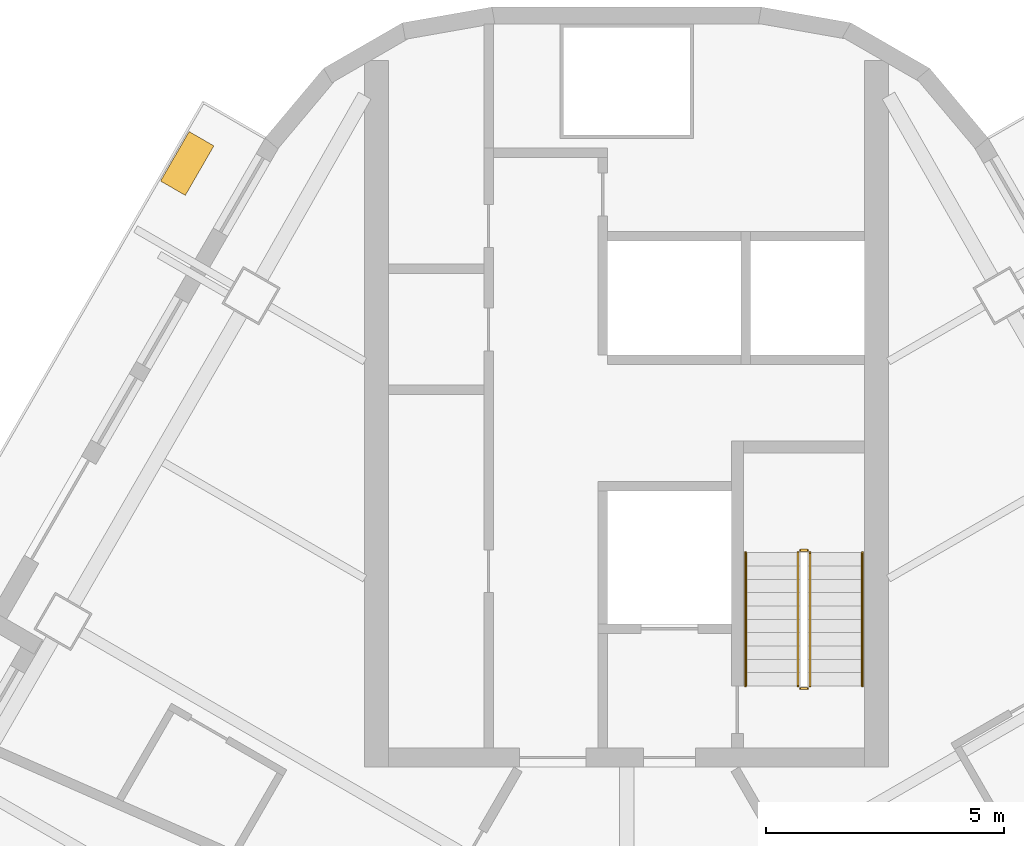
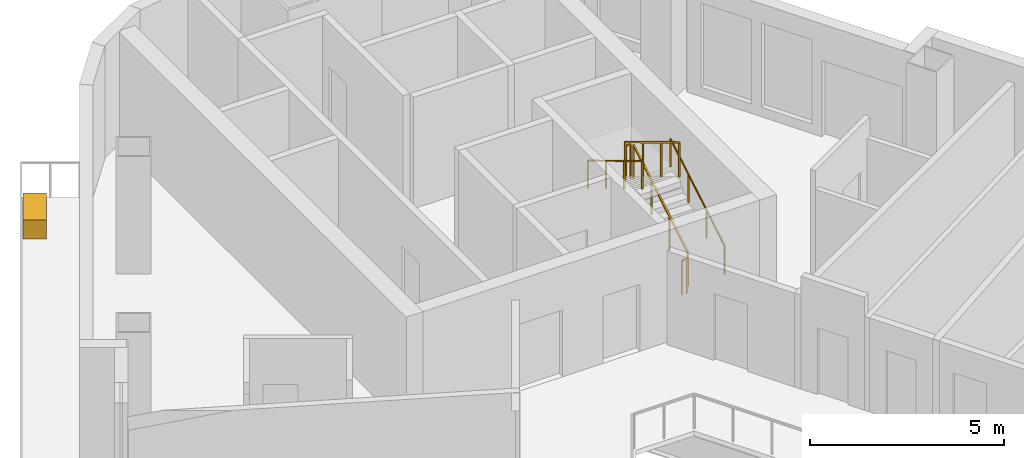
# One storey, part 14 of 14: 6 railings, 1 covering.
"""IFC4 building model written with IfcOpenShell, lengths in metres."""

from ifc_helpers import new_model, si_unit, direction, frame, origin, origin_2d, place, context, subcontext, project, spatial, rectangle, circle, extrude, material, type_object, element, save


model = new_model("IFC4")

# Units and contexts
model_context = context("Model", 3, precision=1e-05, world=origin(), true_north=direction((0.0, 1.0)))
body_context = subcontext(model_context, "Body", "Model", "MODEL_VIEW")
ifc_project = project(units=[si_unit("LENGTHUNIT", "METRE"), si_unit("AREAUNIT", "SQUARE_METRE"), si_unit("VOLUMEUNIT", "CUBIC_METRE"), si_unit("PLANEANGLEUNIT", "RADIAN"), si_unit("MASSUNIT", "GRAM", prefix="KILO")], contexts=[model_context])

# Site, building, storey
site_placement = place(None, origin())
site = spatial("IfcSite", under=ifc_project, at=site_placement, CompositionType="ELEMENT")
building_placement = place(site_placement, origin())
building = spatial("IfcBuilding", under=site, at=building_placement, Name="Apuvela Tower Hotel", CompositionType="ELEMENT")
storey_placement = place(building_placement, frame((0.0, 0.0, 116.800048828125)))
storey = spatial("IfcBuildingStorey", under=building, at=storey_placement, Name="L27", CompositionType="ELEMENT", Elevation=116.800048828125)

# Railings
ifc_material_1 = material(Name="Steel S275 balustrade", Category="steel")
railing_type_1 = type_object("IfcRailingType", Name="COR-GUARD-1100", PredefinedType="GUARDRAIL", material=ifc_material_1)
railing_1_placement = place(storey_placement, frame((3.85009765625, 14.60009765625, 0.168212890625)))
element("IfcRailing", 1, at=railing_1_placement, inside=storey, type_object=railing_type_1, Name="L27 ST1 stair guard 1", PredefinedType="GUARDRAIL", context=body_context, shape_type="SweptSolid", body=[
    extrude(rectangle(XDim=0.048095703125, YDim=0.048095703125, at=origin_2d()), frame((0.0, 0.0, 1.076171875), z_axis=(0.0, 0.857255387014, 0.514891446264), x_axis=(-1.0, 0.0, 0.0)), (0.0, 0.0, 1.0), 3.26611328125),
    extrude(rectangle(XDim=0.0419921875, YDim=0.0419921875, at=origin_2d()), origin(), (0.0, 0.0, 1.0), 1.052001953125),
    extrude(rectangle(XDim=0.0419921875, YDim=0.0419921875, at=origin_2d()), frame((0.0, 0.933349609375, 0.560546875)), (0.0, 0.0, 1.0), 1.052001953125),
    extrude(rectangle(XDim=0.0419921875, YDim=0.0419921875, at=origin_2d()), frame((0.0, 1.866455078125, 1.12109375)), (0.0, 0.0, 1.0), 1.052001953125),
    extrude(rectangle(XDim=0.0419921875, YDim=0.0419921875, at=origin_2d()), frame((0.0, 2.7998046875, 1.681640625)), (0.0, 0.0, 1.0), 1.052001953125),
])
railing_2_placement = place(storey_placement, frame((3.800048828125, 17.449951171875, 1.849853515625)))
element("IfcRailing", 2, at=railing_2_placement, inside=storey, type_object=railing_type_1, Name="L27 ST1 stair guard 2", PredefinedType="GUARDRAIL", context=body_context, shape_type="SweptSolid", body=[
    extrude(rectangle(XDim=0.048095703125, YDim=0.048095703125, at=origin_2d()), frame((0.0, 0.0, 1.076171875), z_axis=(-1.0, 0.0, 0.0), x_axis=(0.0, -1.0, 0.0)), (0.0, 0.0, 1.0), 0.150146484375),
    extrude(rectangle(XDim=0.0419921875, YDim=0.0419921875, at=origin_2d()), origin(), (0.0, 0.0, 1.0), 1.052001953125),
    extrude(rectangle(XDim=0.0419921875, YDim=0.0419921875, at=origin_2d()), frame((-0.150146484375, 0.0, 0.0)), (0.0, 0.0, 1.0), 1.052001953125),
])
railing_3_placement = place(storey_placement, frame((3.60009765625, 17.39990234375, 2.01806640625)))
element("IfcRailing", 3, at=railing_3_placement, inside=storey, type_object=railing_type_1, Name="L27 ST1 stair guard 3", PredefinedType="GUARDRAIL", context=body_context, shape_type="SweptSolid", body=[
    extrude(rectangle(XDim=0.048095703125, YDim=0.048095703125, at=origin_2d()), frame((0.0, 0.0, 1.076171875), z_axis=(0.0, -0.857222391501, 0.514946377315), x_axis=(1.0, 0.0, 0.0)), (0.0, 0.0, 1.0), 3.26611328125),
    extrude(rectangle(XDim=0.0419921875, YDim=0.0419921875, at=origin_2d()), origin(), (0.0, 0.0, 1.0), 1.052001953125),
    extrude(rectangle(XDim=0.0419921875, YDim=0.0419921875, at=origin_2d()), frame((0.0, -0.933349609375, 0.560546875)), (0.0, 0.0, 1.0), 1.052001953125),
    extrude(rectangle(XDim=0.0419921875, YDim=0.0419921875, at=origin_2d()), frame((0.0, -1.866455078125, 1.121337890625)), (0.0, 0.0, 1.0), 1.052001953125),
    extrude(rectangle(XDim=0.0419921875, YDim=0.0419921875, at=origin_2d()), frame((0.0, -2.7998046875, 1.681884765625)), (0.0, 0.0, 1.0), 1.052001953125),
])
railing_4_placement = place(storey_placement, frame((3.800048828125, 14.550048828125, 0.0)))
element("IfcRailing", 4, at=railing_4_placement, inside=storey, type_object=railing_type_1, Name="L27 ST1 stair guard 4", PredefinedType="GUARDRAIL", context=body_context, shape_type="SweptSolid", body=[
    extrude(rectangle(XDim=0.048095703125, YDim=0.048095703125, at=origin_2d()), frame((0.0, 0.0, 1.076171875), z_axis=(-1.0, 0.0, 0.0), x_axis=(0.0, -1.0, 0.0)), (0.0, 0.0, 1.0), 0.150146484375),
    extrude(rectangle(XDim=0.0419921875, YDim=0.0419921875, at=origin_2d()), origin(), (0.0, 0.0, 1.0), 1.052001953125),
    extrude(rectangle(XDim=0.0419921875, YDim=0.0419921875, at=origin_2d()), frame((-0.150146484375, 0.0, 0.0)), (0.0, 0.0, 1.0), 1.052001953125),
])
ifc_material_2 = material(Name="Stainless steel 316 handrail", Category="steel")
railing_type_2 = type_object("IfcRailingType", Name="COR-HANDRAIL-900", PredefinedType="HANDRAIL", material=ifc_material_2)
railing_5_placement = place(storey_placement, frame((4.949951171875, 14.60009765625, 0.168212890625)))
element("IfcRailing", 5, at=railing_5_placement, inside=storey, type_object=railing_type_2, Name="L27 ST1 stair handrail 1", PredefinedType="HANDRAIL", context=body_context, shape_type="SweptSolid", body=[
    extrude(circle(Radius=0.02392578125, at=origin_2d()), frame((0.0, 0.0, 0.8759765625), z_axis=(0.0, 0.857255387014, 0.514891446264), x_axis=(-1.0, 0.0, 0.0)), (0.0, 0.0, 1.0), 3.26611328125),
    extrude(rectangle(XDim=0.0419921875, YDim=0.0419921875, at=origin_2d()), origin(), (0.0, 0.0, 1.0), 0.851806640625),
    extrude(rectangle(XDim=0.0419921875, YDim=0.0419921875, at=origin_2d()), frame((0.0, 0.933349609375, 0.560546875)), (0.0, 0.0, 1.0), 0.851806640625),
    extrude(rectangle(XDim=0.0419921875, YDim=0.0419921875, at=origin_2d()), frame((0.0, 1.866455078125, 1.12109375)), (0.0, 0.0, 1.0), 0.851806640625),
    extrude(rectangle(XDim=0.0419921875, YDim=0.0419921875, at=origin_2d()), frame((0.0, 2.7998046875, 1.681640625)), (0.0, 0.0, 1.0), 0.851806640625),
])
railing_6_placement = place(storey_placement, frame((2.5, 17.39990234375, 2.01806640625)))
element("IfcRailing", 6, at=railing_6_placement, inside=storey, type_object=railing_type_2, Name="L27 ST1 stair handrail 2", PredefinedType="HANDRAIL", context=body_context, shape_type="SweptSolid", body=[
    extrude(circle(Radius=0.02392578125, at=origin_2d()), frame((0.0, 0.0, 0.8759765625), z_axis=(0.0, -0.857222391501, 0.514946377315), x_axis=(1.0, 0.0, 0.0)), (0.0, 0.0, 1.0), 3.26611328125),
    extrude(rectangle(XDim=0.0419921875, YDim=0.0419921875, at=origin_2d()), origin(), (0.0, 0.0, 1.0), 0.851806640625),
    extrude(rectangle(XDim=0.0419921875, YDim=0.0419921875, at=origin_2d()), frame((0.0, -0.933349609375, 0.560546875)), (0.0, 0.0, 1.0), 0.851806640625),
    extrude(rectangle(XDim=0.0419921875, YDim=0.0419921875, at=origin_2d()), frame((0.0, -1.866455078125, 1.121337890625)), (0.0, 0.0, 1.0), 0.851806640625),
    extrude(rectangle(XDim=0.0419921875, YDim=0.0419921875, at=origin_2d()), frame((0.0, -2.7998046875, 1.681884765625)), (0.0, 0.0, 1.0), 0.851806640625),
])

# Covering
ifc_material_3 = material(Name="Planting substrate and soil, planted")
covering_type = type_object("IfcCoveringType", Name="ENV-PLANTER-1200x600", PredefinedType="USERDEFINED", material=ifc_material_3)
covering_placement = place(storey_placement, frame((-9.228515625, 25.57568359375, 0.0), z_axis=(0.0, 0.0, 1.0), x_axis=(-0.5, -0.866025403784, 0.0)))
element("IfcCovering", 7, at=covering_placement, inside=storey, type_object=covering_type, Name="Planter NW4", ObjectType="PLANTER", PredefinedType="USERDEFINED", context=body_context, shape_type="SweptSolid", body=[
    extrude(rectangle(XDim=1.199951171875, YDim=0.60009765625, at=origin_2d()), origin(), (0.0, 0.0, 1.0), 0.60009765625),
])

save(model, "model.ifc")
